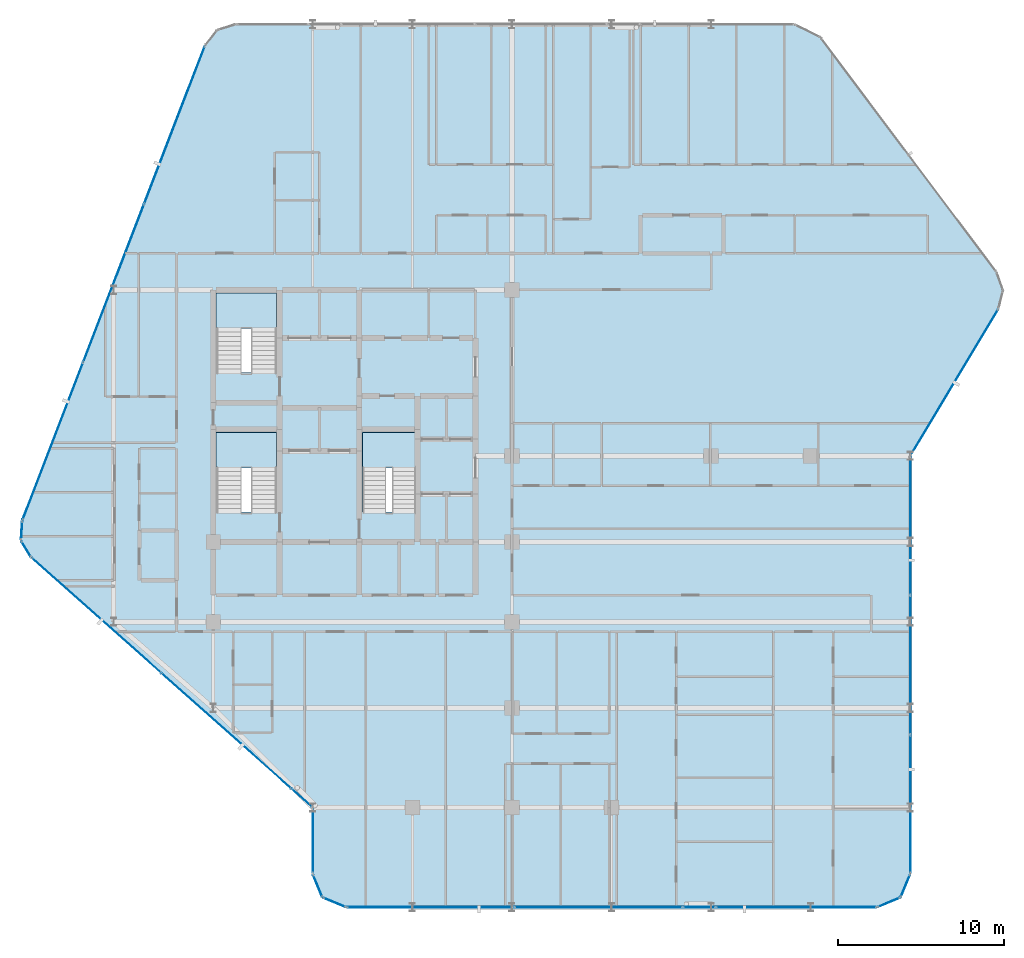
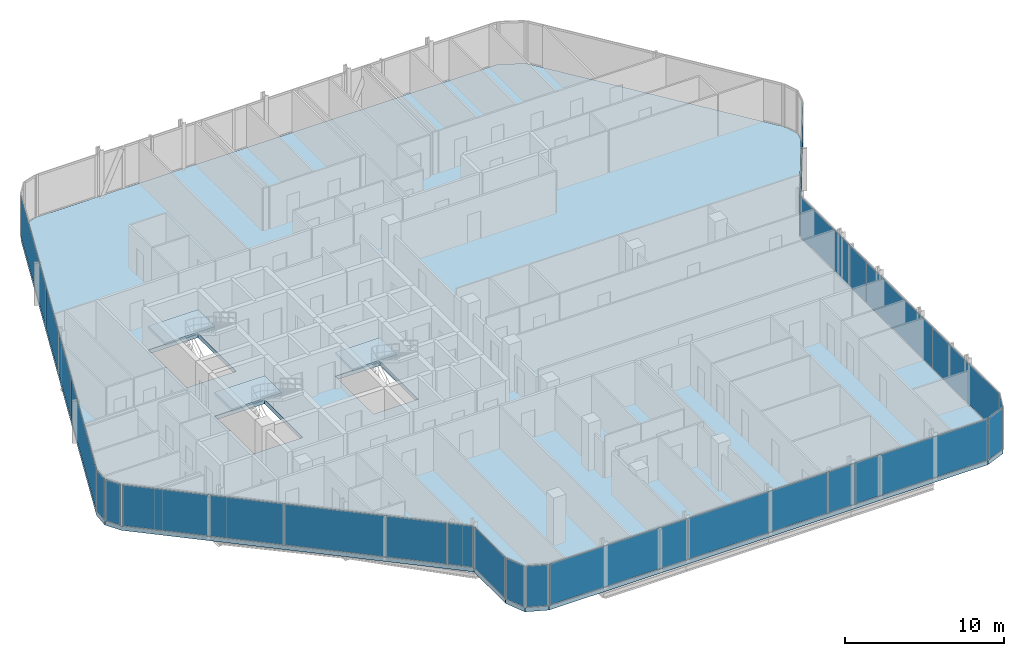
# One storey, part 23 of 31: 21 plates, 4 slabs, 18 elements without a shape of their own.
"""IFC4 building model written with IfcOpenShell, lengths in metres."""

from ifc_helpers import new_model, si_unit, direction, frame, origin, origin_2d, place, context, subcontext, project, spatial, polyline, rectangle, outline, extrude, material, layer, layer_set, type_object, element, aggregate, save


model = new_model("IFC4")

# Units and contexts
model_context = context("Model", 3, precision=1e-05, world=origin(), true_north=direction((0.0, 1.0)))
body_context = subcontext(model_context, "Body", "Model", "MODEL_VIEW")
ifc_project = project(units=[si_unit("LENGTHUNIT", "METRE"), si_unit("AREAUNIT", "SQUARE_METRE"), si_unit("VOLUMEUNIT", "CUBIC_METRE"), si_unit("PLANEANGLEUNIT", "RADIAN"), si_unit("MASSUNIT", "GRAM", prefix="KILO")], contexts=[model_context])

# Site, building, storey
site_placement = place(None, origin())
site = spatial("IfcSite", under=ifc_project, at=site_placement, CompositionType="ELEMENT")
building_placement = place(site_placement, origin())
building = spatial("IfcBuilding", under=site, at=building_placement, Name="Keshet Zoharim Tower", CompositionType="ELEMENT")
storey_placement = place(building_placement, frame((0.0, 0.0, 155.699951171875)))
storey = spatial("IfcBuildingStorey", under=building, at=storey_placement, Name="L38", CompositionType="ELEMENT", Elevation=155.699951171875)

# Curtain wall, plate
ifc_material_1 = material(Name="Aluminium 6063-T6", Category="aluminium")
ifc_layer_1 = layer(ifc_material_1, 0.159912109375)
ifc_layer_set_1 = layer_set([ifc_layer_1], Name="Aluminium 6063-T6")
curtain_wall_type = type_object("IfcCurtainWallType", Name="CW-SYS-03", PredefinedType="NOTDEFINED", material=ifc_layer_set_1)
curtain_wall_1_placement = place(storey_placement, origin())
curtain_wall_1 = element("IfcCurtainWall", 1, at=curtain_wall_1_placement, inside=storey, type_object=curtain_wall_type, Name="L38 Unitised Curtain Wall 01", PredefinedType="NOTDEFINED")
ifc_material_2 = material(Name="Insulated Low-E Clear Glass", Category="glass")
ifc_layer_2 = layer(ifc_material_2, 0.035888671875)
ifc_layer_set_2 = layer_set([ifc_layer_2], Name="Insulated Low-E Clear Glass")
plate_type_1 = type_object("IfcPlateType", Name="CWP-01", PredefinedType="CURTAIN_PANEL", material=ifc_layer_set_2)
plate_1_placement = place(storey_placement, frame((56.70703125, 1.992919921875, 0.0703125), z_axis=(0.0, 0.0, 1.0), x_axis=(-0.382851849847, -0.92380975372, 0.0)))
plate_1 = element("IfcPlate", 2, at=plate_1_placement, type_object=plate_type_1, Name="CW-03 panel 1.1", PredefinedType="CURTAIN_PANEL", context=body_context, shape_type="SweptSolid", body=[
    extrude(rectangle(XDim=1.390625, YDim=0.035888671875, at=origin_2d()), origin(), (0.0, 0.0, 1.0), 3.139892578125),
])
aggregate(curtain_wall_1, [plate_1])

curtain_wall_2_placement = place(storey_placement, origin())
curtain_wall_2 = element("IfcCurtainWall", 3, at=curtain_wall_2_placement, inside=storey, type_object=curtain_wall_type, Name="L38 Unitised Curtain Wall 02", PredefinedType="NOTDEFINED")
plate_2_placement = place(storey_placement, frame((55.70703125, 0.992919921875, 0.0703125), z_axis=(0.0, 0.0, 1.0), x_axis=(-0.92380975372, -0.382851849847, 0.0)))
plate_2 = element("IfcPlate", 4, at=plate_2_placement, type_object=plate_type_1, Name="CW-03 panel 1.1", PredefinedType="CURTAIN_PANEL", context=body_context, shape_type="SweptSolid", body=[
    extrude(rectangle(XDim=1.390625, YDim=0.035888671875, at=origin_2d()), origin(), (0.0, 0.0, 1.0), 3.139892578125),
])
aggregate(curtain_wall_2, [plate_2])

curtain_wall_3_placement = place(storey_placement, origin())
curtain_wall_3 = element("IfcCurtainWall", 5, at=curtain_wall_3_placement, inside=storey, type_object=curtain_wall_type, Name="L38 Unitised Curtain Wall 03", PredefinedType="NOTDEFINED")
plate_3_placement = place(storey_placement, frame((50.12353515625, 0.699951171875, 0.0703125), z_axis=(0.0, 0.0, 1.0), x_axis=(-1.0, 0.0, 0.0)))
plate_3 = element("IfcPlate", 6, at=plate_3_placement, type_object=plate_type_1, Name="CW-03 panel 1.1", PredefinedType="CURTAIN_PANEL", context=body_context, shape_type="SweptSolid", body=[
    extrude(rectangle(XDim=9.61279296875, YDim=0.035888671875, at=origin_2d()), origin(), (0.0, 0.0, 1.0), 3.139892578125),
])
aggregate(curtain_wall_3, [plate_3])

# Curtain wall, plates
curtain_wall_4_placement = place(storey_placement, origin())
curtain_wall_4 = element("IfcCurtainWall", 7, at=curtain_wall_4_placement, inside=storey, type_object=curtain_wall_type, Name="L38 Unitised Curtain Wall 03 Part 3", PredefinedType="NOTDEFINED")
plate_4_placement = place(storey_placement, frame((38.20703125, 0.699951171875, 0.0703125), z_axis=(0.0, 0.0, 1.0), x_axis=(-1.0, 0.0, 0.0)))
plate_4 = element("IfcPlate", 8, at=plate_4_placement, type_object=plate_type_1, Name="CW-03 panel 1.1", PredefinedType="CURTAIN_PANEL", context=body_context, shape_type="SweptSolid", body=[
    extrude(rectangle(XDim=10.09130859375, YDim=0.035888671875, at=origin_2d()), origin(), (0.0, 0.0, 1.0), 3.139892578125),
])
plate_5_placement = place(storey_placement, frame((28.08056640625, 0.699951171875, 0.0703125), z_axis=(0.0, 0.0, 1.0), x_axis=(-1.0, 0.0, 0.0)))
plate_5 = element("IfcPlate", 9, at=plate_5_placement, type_object=plate_type_1, Name="CW-03 panel 2.1", PredefinedType="CURTAIN_PANEL", context=body_context, shape_type="SweptSolid", body=[
    extrude(rectangle(XDim=10.021240234375, YDim=0.035888671875, at=origin_2d()), origin(), (0.0, 0.0, 1.0), 3.139892578125),
])
aggregate(curtain_wall_4, [plate_4, plate_5])

# Curtain wall, plate
curtain_wall_5_placement = place(storey_placement, origin())
curtain_wall_5 = element("IfcCurtainWall", 10, at=curtain_wall_5_placement, inside=storey, type_object=curtain_wall_type, Name="L38 Unitised Curtain Wall 04", PredefinedType="NOTDEFINED")
plate_6_placement = place(storey_placement, frame((22.29296875, 0.992919921875, 0.0703125), z_axis=(0.0, 0.0, 1.0), x_axis=(-0.92380975372, 0.382851849847, 0.0)))
plate_6 = element("IfcPlate", 11, at=plate_6_placement, type_object=plate_type_1, Name="CW-03 panel 1.1", PredefinedType="CURTAIN_PANEL", context=body_context, shape_type="SweptSolid", body=[
    extrude(rectangle(XDim=1.390625, YDim=0.035888671875, at=origin_2d()), origin(), (0.0, 0.0, 1.0), 3.139892578125),
])
aggregate(curtain_wall_5, [plate_6])

curtain_wall_6_placement = place(storey_placement, origin())
curtain_wall_6 = element("IfcCurtainWall", 12, at=curtain_wall_6_placement, inside=storey, type_object=curtain_wall_type, Name="L38 Unitised Curtain Wall 05", PredefinedType="NOTDEFINED")
plate_7_placement = place(storey_placement, frame((21.29296875, 1.992919921875, 0.0703125), z_axis=(0.0, 0.0, 1.0), x_axis=(-0.382851849847, 0.92380975372, 0.0)))
plate_7 = element("IfcPlate", 13, at=plate_7_placement, type_object=plate_type_1, Name="CW-03 panel 1.1", PredefinedType="CURTAIN_PANEL", context=body_context, shape_type="SweptSolid", body=[
    extrude(rectangle(XDim=1.390625, YDim=0.035888671875, at=origin_2d()), origin(), (0.0, 0.0, 1.0), 3.139892578125),
])
aggregate(curtain_wall_6, [plate_7])

curtain_wall_7_placement = place(storey_placement, origin())
curtain_wall_7 = element("IfcCurtainWall", 14, at=curtain_wall_7_placement, inside=storey, type_object=curtain_wall_type, Name="L38 Unitised Curtain Wall 06", PredefinedType="NOTDEFINED")
plate_8_placement = place(storey_placement, frame((21.0, 4.699951171875, 0.0703125), z_axis=(0.0, 0.0, 1.0), x_axis=(0.0, 1.0, 0.0)))
plate_8 = element("IfcPlate", 15, at=plate_8_placement, type_object=plate_type_1, Name="CW-03 panel 1.1", PredefinedType="CURTAIN_PANEL", context=body_context, shape_type="SweptSolid", body=[
    extrude(rectangle(XDim=3.860107421875, YDim=0.035888671875, at=origin_2d()), origin(), (0.0, 0.0, 1.0), 3.139892578125),
])
aggregate(curtain_wall_7, [plate_8])

# Curtain wall, plates
curtain_wall_8_placement = place(storey_placement, origin())
curtain_wall_8 = element("IfcCurtainWall", 16, at=curtain_wall_8_placement, inside=storey, type_object=curtain_wall_type, Name="L38 Unitised Curtain Wall 07 Part 2", PredefinedType="NOTDEFINED")
plate_9_placement = place(storey_placement, frame((15.79345703125, 11.328125, 0.0703125), z_axis=(0.0, 0.0, 1.0), x_axis=(-0.74741037194, 0.664362653915, 0.0)))
plate_9 = element("IfcPlate", 17, at=plate_9_placement, type_object=plate_type_1, Name="CW-03 panel 1.1", PredefinedType="CURTAIN_PANEL", context=body_context, shape_type="SweptSolid", body=[
    extrude(rectangle(XDim=10.44140625, YDim=0.035888671875, at=origin_2d()), origin(), (0.0, 0.0, 1.0), 3.139892578125),
])
plate_10_placement = place(storey_placement, frame((7.963134765625, 18.288330078125, 0.0703125), z_axis=(0.0, 0.0, 1.0), x_axis=(-0.74741037194, 0.664362653915, 0.0)))
plate_10 = element("IfcPlate", 18, at=plate_10_placement, type_object=plate_type_1, Name="CW-03 panel 2.1", PredefinedType="CURTAIN_PANEL", context=body_context, shape_type="SweptSolid", body=[
    extrude(rectangle(XDim=10.37158203125, YDim=0.035888671875, at=origin_2d()), origin(), (0.0, 0.0, 1.0), 3.139892578125),
])
aggregate(curtain_wall_8, [plate_9, plate_10])

# Curtain wall, plate
curtain_wall_9_placement = place(storey_placement, origin())
curtain_wall_9 = element("IfcCurtainWall", 19, at=curtain_wall_9_placement, inside=storey, type_object=curtain_wall_type, Name="L38 Unitised Curtain Wall 08", PredefinedType="NOTDEFINED")
plate_11_placement = place(storey_placement, frame((3.7275390625, 22.291015625, 0.0703125), z_axis=(0.0, 0.0, 1.0), x_axis=(-0.515604947933, 0.856826433805, 0.0)))
plate_11 = element("IfcPlate", 20, at=plate_11_placement, type_object=plate_type_1, Name="CW-03 panel 1.1", PredefinedType="CURTAIN_PANEL", context=body_context, shape_type="SweptSolid", body=[
    extrude(rectangle(XDim=1.052734375, YDim=0.035888671875, at=origin_2d()), origin(), (0.0, 0.0, 1.0), 3.139892578125),
])
aggregate(curtain_wall_9, [plate_11])

curtain_wall_10_placement = place(storey_placement, origin())
curtain_wall_10 = element("IfcCurtainWall", 21, at=curtain_wall_10_placement, inside=storey, type_object=curtain_wall_type, Name="L38 Unitised Curtain Wall 09", PredefinedType="NOTDEFINED")
plate_12_placement = place(storey_placement, frame((3.45849609375, 23.3974609375, 0.0703125), z_axis=(0.0, 0.0, 1.0), x_axis=(0.064516859374, 0.997916617186, 0.0)))
plate_12 = element("IfcPlate", 22, at=plate_12_placement, type_object=plate_type_1, Name="CW-03 panel 1.1", PredefinedType="CURTAIN_PANEL", context=body_context, shape_type="SweptSolid", body=[
    extrude(rectangle(XDim=1.053466796875, YDim=0.035888671875, at=origin_2d()), origin(), (0.0, 0.0, 1.0), 3.139892578125),
])
aggregate(curtain_wall_10, [plate_12])

# Curtain wall, plates
curtain_wall_11_placement = place(storey_placement, origin())
curtain_wall_11 = element("IfcCurtainWall", 23, at=curtain_wall_11_placement, inside=storey, type_object=curtain_wall_type, Name="L38 Unitised Curtain Wall 10", PredefinedType="NOTDEFINED")
plate_13_placement = place(storey_placement, frame((5.33837890625, 28.7802734375, 0.0703125), z_axis=(0.0, 0.0, 1.0), x_axis=(0.358990003907, 0.933341404361, 0.0)))
plate_13 = element("IfcPlate", 24, at=plate_13_placement, type_object=plate_type_1, Name="CW-03 panel 1.1", PredefinedType="CURTAIN_PANEL", context=body_context, shape_type="SweptSolid", body=[
    extrude(rectangle(XDim=10.1181640625, YDim=0.035888671875, at=origin_2d()), origin(), (0.0, 0.0, 1.0), 3.139892578125),
])
plate_14_placement = place(storey_placement, frame((9.001953125, 38.305419921875, 0.0703125), z_axis=(0.0, 0.0, 1.0), x_axis=(0.358990003907, 0.933341404361, 0.0)))
plate_14 = element("IfcPlate", 25, at=plate_14_placement, type_object=plate_type_1, Name="CW-03 panel 2.1", PredefinedType="CURTAIN_PANEL", context=body_context, shape_type="SweptSolid", body=[
    extrude(rectangle(XDim=10.153076171875, YDim=0.035888671875, at=origin_2d()), origin(), (0.0, 0.0, 1.0), 3.139892578125),
])
plate_15_placement = place(storey_placement, frame((12.665771484375, 47.830810546875, 0.0703125), z_axis=(0.0, 0.0, 1.0), x_axis=(0.358990003907, 0.933341404361, 0.0)))
plate_15 = element("IfcPlate", 26, at=plate_15_placement, type_object=plate_type_1, Name="CW-03 panel 3.1", PredefinedType="CURTAIN_PANEL", context=body_context, shape_type="SweptSolid", body=[
    extrude(rectangle(XDim=10.1181640625, YDim=0.035888671875, at=origin_2d()), origin(), (0.0, 0.0, 1.0), 3.139892578125),
])
aggregate(curtain_wall_11, [plate_13, plate_14, plate_15])

# Curtain wall, plate
curtain_wall_12_placement = place(storey_placement, origin())
curtain_wall_12 = element("IfcCurtainWall", 27, at=curtain_wall_12_placement, inside=storey, type_object=curtain_wall_type, Name="L38 Unitised Curtain Wall 18", PredefinedType="NOTDEFINED")
plate_16_placement = place(storey_placement, frame((59.654052734375, 32.323486328125, 0.0703125), z_axis=(0.0, 0.0, 1.0), x_axis=(-0.514481501576, -0.857501477862, 0.0)))
plate_16 = element("IfcPlate", 28, at=plate_16_placement, type_object=plate_type_1, Name="CW-03 panel 1.1", PredefinedType="CURTAIN_PANEL", context=body_context, shape_type="SweptSolid", body=[
    extrude(rectangle(XDim=10.17724609375, YDim=0.035888671875, at=origin_2d()), origin(), (0.0, 0.0, 1.0), 3.139892578125),
])
aggregate(curtain_wall_12, [plate_16])

# Curtain wall, plates
curtain_wall_13_placement = place(storey_placement, origin())
curtain_wall_13 = element("IfcCurtainWall", 29, at=curtain_wall_13_placement, inside=storey, type_object=curtain_wall_type, Name="L38 Unitised Curtain Wall 19", PredefinedType="NOTDEFINED")
ifc_layer_3 = layer(ifc_material_2, 0.031982421875)
ifc_layer_set_3 = layer_set([ifc_layer_3], Name="Insulated Low-E Clear Glass")
plate_type_2 = type_object("IfcPlateType", Name="CWP-02", PredefinedType="CURTAIN_PANEL", material=ifc_layer_set_3)
plate_17_placement = place(storey_placement, frame((57.0, 23.6826171875, 0.0703125), z_axis=(0.0, 0.0, 1.0), x_axis=(0.0, -1.0, 0.0)))
plate_17 = element("IfcPlate", 30, at=plate_17_placement, type_object=plate_type_2, Name="CW-03 panel 1.1", PredefinedType="CURTAIN_PANEL", context=body_context, shape_type="SweptSolid", body=[
    extrude(rectangle(XDim=8.294921875, YDim=0.031982421875, at=origin_2d()), origin(), (0.0, 0.0, 1.0), 3.139892578125),
])
plate_18_placement = place(storey_placement, frame((57.0, 15.300048828125, 0.0703125), z_axis=(0.0, 0.0, 1.0), x_axis=(0.0, -1.0, 0.0)))
plate_18 = element("IfcPlate", 31, at=plate_18_placement, type_object=plate_type_2, Name="CW-03 panel 2.1", PredefinedType="CURTAIN_PANEL", context=body_context, shape_type="SweptSolid", body=[
    extrude(rectangle(XDim=8.330078125, YDim=0.031982421875, at=origin_2d()), origin(), (0.0, 0.0, 1.0), 3.139892578125),
])
plate_19_placement = place(storey_placement, frame((57.0, 6.91748046875, 0.0703125), z_axis=(0.0, 0.0, 1.0), x_axis=(0.0, -1.0, 0.0)))
plate_19 = element("IfcPlate", 32, at=plate_19_placement, type_object=plate_type_2, Name="CW-03 panel 3.1", PredefinedType="CURTAIN_PANEL", context=body_context, shape_type="SweptSolid", body=[
    extrude(rectangle(XDim=8.294921875, YDim=0.031982421875, at=origin_2d()), origin(), (0.0, 0.0, 1.0), 3.139892578125),
])
aggregate(curtain_wall_13, [plate_17, plate_18, plate_19])

# Curtain wall, plate
curtain_wall_14_placement = place(storey_placement, origin())
curtain_wall_14 = element("IfcCurtainWall", 33, at=curtain_wall_14_placement, inside=storey, type_object=curtain_wall_type, Name="L38 Unitised Curtain Wall 03 Part 2", PredefinedType="NOTDEFINED")
ifc_material_3 = material(Name="Insulated Aluminium Spandrel Panel", Category="aluminium")
ifc_layer_4 = layer(ifc_material_3, 0.035888671875)
ifc_layer_set_4 = layer_set([ifc_layer_4], Name="Insulated Aluminium Spandrel Panel")
plate_type_3 = type_object("IfcPlateType", Name="CWP-04", PredefinedType="CURTAIN_PANEL", material=ifc_layer_set_4)
plate_20_placement = place(storey_placement, frame((44.284912109375, 0.699951171875, 0.0703125), z_axis=(0.0, 0.0, 1.0), x_axis=(-1.0, 0.0, 0.0)))
plate_20 = element("IfcPlate", 34, at=plate_20_placement, type_object=plate_type_3, Name="CW-03 spandrel panel 1.1", PredefinedType="CURTAIN_PANEL", context=body_context, shape_type="SweptSolid", body=[
    extrude(rectangle(XDim=1.924560546875, YDim=0.035888671875, at=origin_2d()), origin(), (0.0, 0.0, 1.0), 3.139892578125),
])
aggregate(curtain_wall_14, [plate_20])

curtain_wall_15_placement = place(storey_placement, origin())
curtain_wall_15 = element("IfcCurtainWall", 35, at=curtain_wall_15_placement, inside=storey, type_object=curtain_wall_type, Name="L38 Unitised Curtain Wall 07", PredefinedType="NOTDEFINED")
plate_21_placement = place(storey_placement, frame((20.34765625, 7.27978515625, 0.0703125), z_axis=(0.0, 0.0, 1.0), x_axis=(-0.74739667442, 0.664378063354, 0.0)))
plate_21 = element("IfcPlate", 36, at=plate_21_placement, type_object=plate_type_3, Name="CW-03 spandrel panel 1.1", PredefinedType="CURTAIN_PANEL", context=body_context, shape_type="SweptSolid", body=[
    extrude(rectangle(XDim=1.60546875, YDim=0.035888671875, at=origin_2d()), origin(), (0.0, 0.0, 1.0), 3.139892578125),
])
aggregate(curtain_wall_15, [plate_21])

# Stair, slab
ifc_material_4 = material(Name="Concrete C50/60", Category="concrete")
stair_type = type_object("IfcStairType", Name="STR-EXIT-135", PredefinedType="HALF_TURN_STAIR", material=ifc_material_4)
stair_1_placement = place(storey_placement, origin())
stair_1 = element("IfcStair", 37, at=stair_1_placement, inside=storey, type_object=stair_type, Name="L38 Enclosed Exit Stair ST-01", PredefinedType="HALF_TURN_STAIR")
ifc_layer_5 = layer(ifc_material_4, 0.199951171875)
ifc_layer_set_5 = layer_set([ifc_layer_5], Name="Concrete C50/60")
slab_type_1 = type_object("IfcSlabType", Name="SLB-LND-200", PredefinedType="LANDING", material=ifc_layer_set_5)
slab_1_placement = place(storey_placement, frame((0.0, 0.0, 1.650146484375)))
slab_1 = element("IfcSlab", 38, at=slab_1_placement, type_object=slab_type_1, Name="ST-01 landing 1", PredefinedType="LANDING", context=body_context, shape_type="SweptSolid", body=[
    extrude(outline(polyline([(15.179931640625, 27.159912109375), (18.820068359375, 27.159912109375), (18.820068359375, 29.320068359375), (15.179931640625, 29.320068359375), (15.179931640625, 27.159912109375)])), origin(), (0.0, 0.0, 1.0), 0.199951171875),
])
aggregate(stair_1, [slab_1])

stair_2_placement = place(storey_placement, origin())
stair_2 = element("IfcStair", 39, at=stair_2_placement, inside=storey, type_object=stair_type, Name="L38 Enclosed Exit Stair ST-02", PredefinedType="HALF_TURN_STAIR")
slab_2_placement = place(storey_placement, frame((0.0, 0.0, 1.650146484375)))
slab_2 = element("IfcSlab", 40, at=slab_2_placement, type_object=slab_type_1, Name="ST-02 landing 1", PredefinedType="LANDING", context=body_context, shape_type="SweptSolid", body=[
    extrude(outline(polyline([(15.179931640625, 35.56005859375), (18.820068359375, 35.56005859375), (18.820068359375, 37.719970703125), (15.179931640625, 37.719970703125), (15.179931640625, 35.56005859375)])), origin(), (0.0, 0.0, 1.0), 0.199951171875),
])
aggregate(stair_2, [slab_2])

stair_3_placement = place(storey_placement, origin())
stair_3 = element("IfcStair", 41, at=stair_3_placement, inside=storey, type_object=stair_type, Name="L38 Enclosed Exit Stair ST-03", PredefinedType="HALF_TURN_STAIR")
slab_3_placement = place(storey_placement, frame((0.0, 0.0, 1.650146484375)))
slab_3 = element("IfcSlab", 42, at=slab_3_placement, type_object=slab_type_1, Name="ST-03 landing 1", PredefinedType="LANDING", context=body_context, shape_type="SweptSolid", body=[
    extrude(outline(polyline([(23.97998046875, 27.159912109375), (27.219970703125, 27.159912109375), (27.219970703125, 29.320068359375), (23.97998046875, 29.320068359375), (23.97998046875, 27.159912109375)])), origin(), (0.0, 0.0, 1.0), 0.199951171875),
])
aggregate(stair_3, [slab_3])

# Slab
ifc_layer_6 = layer(ifc_material_4, 0.31494140625)
ifc_layer_set_6 = layer_set([ifc_layer_6], Name="Concrete C50/60")
slab_type_2 = type_object("IfcSlabType", Name="SLB-LOW-260", PredefinedType="FLOOR", material=ifc_layer_set_6)
slab_4_placement = place(storey_placement, frame((0.0, 0.0, -0.31494140625)))
element("IfcSlab", 43, at=slab_4_placement, inside=storey, type_object=slab_type_2, Name="L38 Structural Floor Slab 1", PredefinedType="FLOOR", context=body_context, shape_type="SweptSolid", body=[
    extrude(outline(polyline([(57.0, 2.699951171875), (56.4140625, 1.285888671875), (55.0, 0.699951171875), (23.0, 0.699951171875), (21.5859375, 1.285888671875), (21.0, 2.699951171875), (21.0, 6.699951171875), (4.034912109375, 21.780029296875), (3.419921875, 22.802001953125), (3.4970703125, 23.992919921875), (14.507080078125, 52.617919921875), (15.240966796875, 53.549072265625), (16.3740234375, 53.89990234375), (50.0, 53.89990234375), (51.60009765625, 53.10009765625), (62.193115234375, 38.97607421875), (62.590087890625, 37.87890625), (62.30810546875, 36.7470703125), (57.0, 27.89990234375), (57.0, 2.699951171875)]), holes=[polyline([(15.179931640625, 24.52001953125), (18.820068359375, 24.52001953125), (18.820068359375, 29.320068359375), (15.179931640625, 29.320068359375), (15.179931640625, 24.52001953125)]), polyline([(15.179931640625, 32.919921875), (18.820068359375, 32.919921875), (18.820068359375, 37.719970703125), (15.179931640625, 37.719970703125), (15.179931640625, 32.919921875)]), polyline([(23.97998046875, 24.52001953125), (27.219970703125, 24.52001953125), (27.219970703125, 29.320068359375), (23.97998046875, 29.320068359375), (23.97998046875, 24.52001953125)])]), origin(), (0.0, 0.0, 1.0), 0.31494140625),
])

save(model, "model.ifc")
